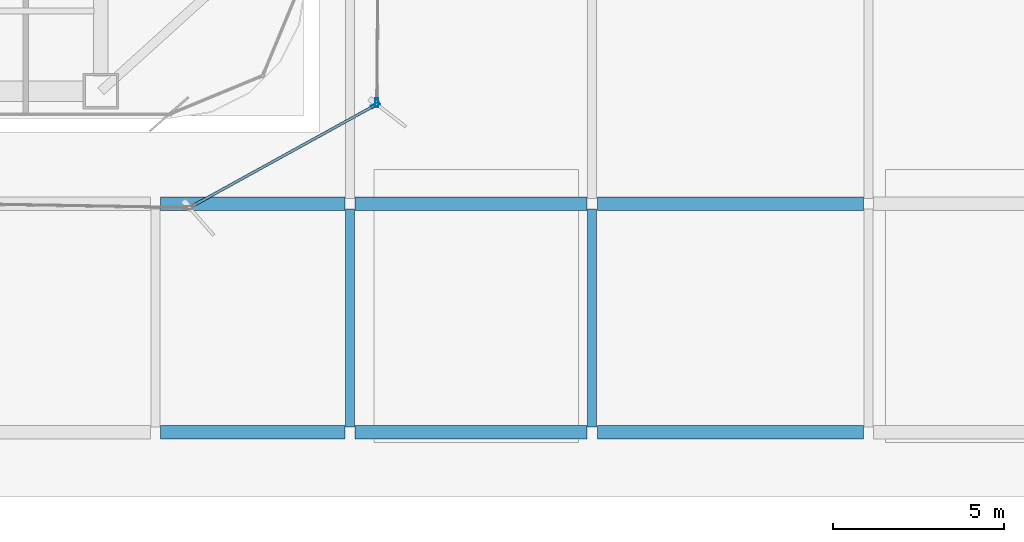
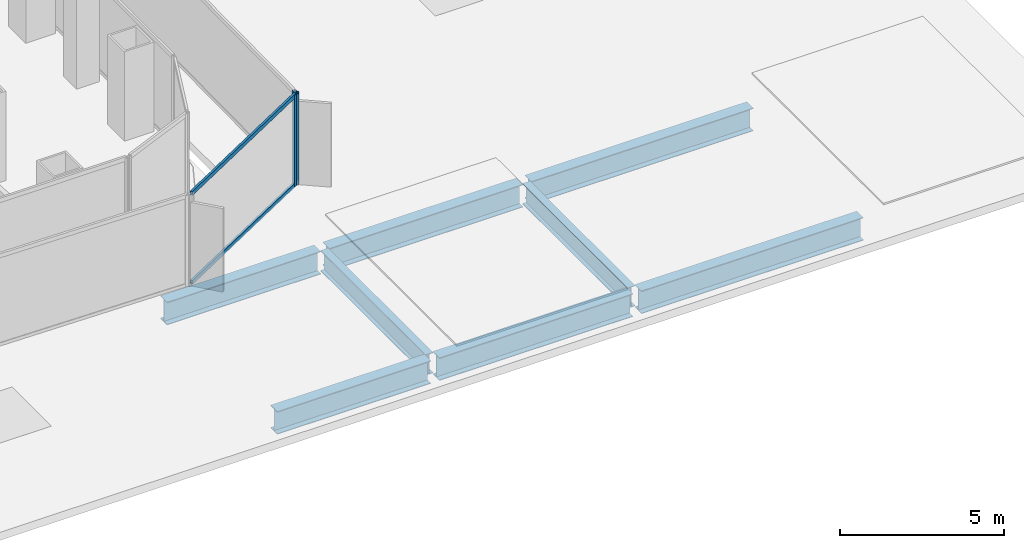
# One storey, part 9 of 27: 8 beams, 4 members, 2 elements without a shape of their own.
"""IFC4 building model written with IfcOpenShell, lengths in metres."""

from ifc_helpers import new_model, si_unit, direction, frame, origin, origin_2d, place, context, subcontext, project, spatial, hollow_rectangle, i_section, extrude, source, transform, mapped, material, layer, layer_set, material_profile, profile_set, type_object, element, aggregate, save


model = new_model("IFC4")

# Units and contexts
model_context = context("Model", 3, precision=1e-05, world=origin(), true_north=direction((0.0, 1.0)))
body_context = subcontext(model_context, "Body", "Model", "MODEL_VIEW")
ifc_project = project(units=[si_unit("LENGTHUNIT", "METRE"), si_unit("AREAUNIT", "SQUARE_METRE"), si_unit("VOLUMEUNIT", "CUBIC_METRE"), si_unit("PLANEANGLEUNIT", "RADIAN"), si_unit("MASSUNIT", "GRAM", prefix="KILO")], contexts=[model_context])

# Site, building, storey
site_placement = place(None, origin())
site = spatial("IfcSite", under=ifc_project, at=site_placement, CompositionType="ELEMENT")
building_placement = place(site_placement, origin())
building = spatial("IfcBuilding", under=site, at=building_placement, Name="Kolveth Station Tower", CompositionType="ELEMENT")
storey_placement = place(building_placement, frame((0.0, 0.0, 22.5)))
storey = spatial("IfcBuildingStorey", under=building, at=storey_placement, Name="L05", CompositionType="ELEMENT", Elevation=22.5)

# Beams
ifc_material_1 = material(Name="Steel S355", Category="steel")
ifc_material_profile_1 = material_profile(ifc_material_1, i_section(OverallWidth=0.40087890625, OverallDepth=0.85107421875, WebThickness=0.01611328125, FlangeThickness=0.025390625, at=origin_2d()), Name="W840x226")
ifc_profile_set_1 = profile_set([ifc_material_profile_1], Name="Steel S355")
beam_type_1 = type_object("IfcBeamType", Name="Beam_B2", PredefinedType="BEAM", material=ifc_profile_set_1)
shared_shape_1 = source(origin(), body_context, "Body", "SweptSolid", [
    extrude(i_section(OverallWidth=0.40087890625, OverallDepth=0.85107421875, WebThickness=0.01611328125, FlangeThickness=0.025390625, at=origin_2d()), origin(), (0.0, 0.0, 1.0), 5.39990234375),
])
for number, where, z_axis, x_axis, name in (
    (1, (42.75, -9.199951171875, -0.7255859375), (1.0, 0.0, 0.0), (0.0, 1.0, 0.0), "L05 Station Concourse Girder SBM-L05-SL1-5"),
    (2, (42.75, -2.5, -0.7255859375), (1.0, 0.0, 0.0), (0.0, 1.0, 0.0), "L05 Station Concourse Girder SBM-L05-SL2-5"),
):
    element("IfcBeam", number, at=place(storey_placement, frame(where, z_axis=z_axis, x_axis=x_axis)), inside=storey, type_object=beam_type_1, Name=name, PredefinedType="BEAM", context=body_context, shape_type="MappedRepresentation", body=[
        mapped(shared_shape_1, transform((0.0, 0.0, 0.0), x_axis=(1.0, 0.0, 0.0), y_axis=(0.0, 1.0, 0.0), z_axis=(0.0, 0.0, 1.0), scale=1.0)),
    ])
shared_shape_2 = source(origin(), body_context, "Body", "SweptSolid", [
    extrude(i_section(OverallWidth=0.40087890625, OverallDepth=0.85107421875, WebThickness=0.01611328125, FlangeThickness=0.025390625, at=origin_2d()), origin(), (0.0, 0.0, 1.0), 6.800048828125),
])
for number, where, z_axis, x_axis, name in (
    (3, (48.449951171875, -9.199951171875, -0.7255859375), (1.0, 0.0, 0.0), (0.0, 1.0, 0.0), "L05 Station Portal Girder SBM-L05-EW-1-1"),
    (4, (48.449951171875, -2.5, -0.7255859375), (1.0, 0.0, 0.0), (0.0, 1.0, 0.0), "L05 Station Portal Girder SBM-L05-EW-2-1"),
):
    element("IfcBeam", number, at=place(storey_placement, frame(where, z_axis=z_axis, x_axis=x_axis)), inside=storey, type_object=beam_type_1, Name=name, PredefinedType="BEAM", context=body_context, shape_type="MappedRepresentation", body=[
        mapped(shared_shape_2, transform((0.0, 0.0, 0.0), x_axis=(1.0, 0.0, 0.0), y_axis=(0.0, 1.0, 0.0), z_axis=(0.0, 0.0, 1.0), scale=1.0)),
    ])
shared_shape_3 = source(origin(), body_context, "Body", "SweptSolid", [
    extrude(i_section(OverallWidth=0.40087890625, OverallDepth=0.85107421875, WebThickness=0.01611328125, FlangeThickness=0.025390625, at=origin_2d()), origin(), (0.0, 0.0, 1.0), 7.800048828125),
])
for number, where, z_axis, x_axis, name in (
    (5, (55.550048828125, -9.199951171875, -0.7255859375), (1.0, 0.0, 0.0), (0.0, 1.0, 0.0), "L05 Station Portal Girder SBM-L05-EW-1-2"),
    (6, (55.550048828125, -2.5, -0.7255859375), (1.0, 0.0, 0.0), (0.0, 1.0, 0.0), "L05 Station Portal Girder SBM-L05-EW-2-2"),
):
    element("IfcBeam", number, at=place(storey_placement, frame(where, z_axis=z_axis, x_axis=x_axis)), inside=storey, type_object=beam_type_1, Name=name, PredefinedType="BEAM", context=body_context, shape_type="MappedRepresentation", body=[
        mapped(shared_shape_3, transform((0.0, 0.0, 0.0), x_axis=(1.0, 0.0, 0.0), y_axis=(0.0, 1.0, 0.0), z_axis=(0.0, 0.0, 1.0), scale=1.0)),
    ])
ifc_material_profile_2 = material_profile(ifc_material_1, i_section(OverallWidth=0.26708984375, OverallDepth=0.76611328125, WebThickness=0.014892578125, FlangeThickness=0.023681640625, at=origin_2d()), Name="W760x185")
ifc_profile_set_2 = profile_set([ifc_material_profile_2], Name="Steel S355")
beam_type_2 = type_object("IfcBeamType", Name="Beam_B3", PredefinedType="BEAM", material=ifc_profile_set_2)
shared_shape_4 = source(origin(), body_context, "Body", "SweptSolid", [
    extrude(i_section(OverallWidth=0.26708984375, OverallDepth=0.76611328125, WebThickness=0.014892578125, FlangeThickness=0.023681640625, at=origin_2d()), origin(), (0.0, 0.0, 1.0), 6.400146484375),
])
for number, where, z_axis, x_axis, name in (
    (7, (48.300048828125, -9.050048828125, -0.68310546875), (0.0, 1.0, 0.0), (-1.0, 0.0, 0.0), "L05 Station Spine Girder SBM-L05-NS-1-1"),
    (8, (55.39990234375, -9.050048828125, -0.68310546875), (0.0, 1.0, 0.0), (-1.0, 0.0, 0.0), "L05 Station Spine Girder SBM-L05-NS-2-1"),
):
    element("IfcBeam", number, at=place(storey_placement, frame(where, z_axis=z_axis, x_axis=x_axis)), inside=storey, type_object=beam_type_2, Name=name, PredefinedType="BEAM", context=body_context, shape_type="MappedRepresentation", body=[
        mapped(shared_shape_4, transform((0.0, 0.0, 0.0), x_axis=(1.0, 0.0, 0.0), y_axis=(0.0, 1.0, 0.0), z_axis=(0.0, 0.0, 1.0), scale=1.0)),
    ])

# Curtain wall, member
ifc_material_2 = material(Name="Black anodized aluminium 6063-T6 and dark solar glass", Category="aluminium")
ifc_layer = layer(ifc_material_2, 0.159912109375)
ifc_layer_set = layer_set([ifc_layer], Name="Black anodized aluminium 6063-T6 and dark solar glass")
curtain_wall_type = type_object("IfcCurtainWallType", Name="OUTER SKIN CW-OS", PredefinedType="NOTDEFINED", material=ifc_layer_set)
curtain_wall_1_placement = place(storey_placement, origin())
curtain_wall_1 = element("IfcCurtainWall", 9, at=curtain_wall_1_placement, inside=storey, type_object=curtain_wall_type, Name="L05 Outer Ventilated Skin Curtain Wall 1", PredefinedType="NOTDEFINED")
ifc_material_3 = material(Name="Black anodized aluminium 6063-T6", Category="aluminium")
ifc_material_profile_3 = material_profile(ifc_material_3, hollow_rectangle(XDim=0.090087890625, YDim=0.260009765625, WallThickness=0.0048828125, at=origin_2d()), Name="ALU-90x260x5")
ifc_profile_set_3 = profile_set([ifc_material_profile_3], Name="Black anodized aluminium 6063-T6")
member_type_1 = type_object("IfcMemberType", Name="FIN MULLION ML-OS", PredefinedType="MULLION", material=ifc_profile_set_3)
shared_shape_5 = source(origin(), body_context, "Body", "SweptSolid", [
    extrude(hollow_rectangle(XDim=0.090087890625, YDim=0.260009765625, WallThickness=0.0048828125, at=origin_2d()), origin(), (0.0, 0.0, 1.0), 3.389892578125),
])
member_1_placement = place(storey_placement, frame((49.04931640625, 0.392578125, 0.0), z_axis=(0.0, 0.0, 1.0), x_axis=(-0.482854348071, 0.875700678628, 0.0)))
member_1 = element("IfcMember", 10, at=member_1_placement, type_object=member_type_1, Name="CW-OS mullion 2", PredefinedType="MULLION", context=body_context, shape_type="MappedRepresentation", body=[
    mapped(shared_shape_5, transform((0.0, 0.0, 0.0), x_axis=(1.0, 0.0, 0.0), y_axis=(0.0, 1.0, 0.0), z_axis=(0.0, 0.0, 1.0), scale=1.0)),
])

curtain_wall_2_placement = place(storey_placement, origin())
curtain_wall_2 = element("IfcCurtainWall", 11, at=curtain_wall_2_placement, inside=storey, type_object=curtain_wall_type, Name="L05 Outer Ventilated Skin Curtain Wall 2", PredefinedType="NOTDEFINED")
member_2_placement = place(storey_placement, frame((49.089111328125, 0.459228515625, 0.0), z_axis=(0.0, 0.0, 1.0), x_axis=(-0.999965225678, 0.008339510403, 0.0)))
member_2 = element("IfcMember", 12, at=member_2_placement, type_object=member_type_1, Name="CW-OS mullion 1", PredefinedType="MULLION", context=body_context, shape_type="MappedRepresentation", body=[
    mapped(shared_shape_5, transform((0.0, 0.0, 0.0), x_axis=(1.0, 0.0, 0.0), y_axis=(0.0, 1.0, 0.0), z_axis=(0.0, 0.0, 1.0), scale=1.0)),
])
aggregate(curtain_wall_2, [member_2])

# Member
ifc_material_profile_4 = material_profile(ifc_material_3, hollow_rectangle(XDim=0.080078125, YDim=0.14990234375, WallThickness=0.0048828125, at=origin_2d()), Name="ALU-80x150x5")
ifc_profile_set_4 = profile_set([ifc_material_profile_4], Name="Black anodized aluminium 6063-T6")
member_type_2 = type_object("IfcMemberType", Name="Transom_TR-OS", PredefinedType="USERDEFINED", material=ifc_profile_set_4)
shared_shape_6 = source(origin(), body_context, "Body", "SweptSolid", [
    extrude(hollow_rectangle(XDim=0.080078125, YDim=0.14990234375, WallThickness=0.0048828125, at=origin_2d()), origin(), (0.0, 0.0, 1.0), 6.091552734375),
])
member_3_placement = place(storey_placement, frame((43.675537109375, -2.570556640625, 0.0400390625), z_axis=(0.875699241357, 0.482856954685, 0.0), x_axis=(-0.482856954685, 0.875699241357, 0.0)))
member_3 = element("IfcMember", 13, at=member_3_placement, type_object=member_type_2, Name="CW-OS transom 1.1", ObjectType="TRANSOM", PredefinedType="USERDEFINED", context=body_context, shape_type="MappedRepresentation", body=[
    mapped(shared_shape_6, transform((0.0, 0.0, 0.0), x_axis=(1.0, 0.0, 0.0), y_axis=(0.0, 1.0, 0.0), z_axis=(0.0, 0.0, 1.0), scale=1.0)),
])

member_4_placement = place(storey_placement, frame((43.675537109375, -2.570556640625, 3.35009765625), z_axis=(0.875699241357, 0.482856954685, 0.0), x_axis=(-0.482856954685, 0.875699241357, 0.0)))
member_4 = element("IfcMember", 14, at=member_4_placement, type_object=member_type_2, Name="CW-OS transom 1.2", ObjectType="TRANSOM", PredefinedType="USERDEFINED", context=body_context, shape_type="MappedRepresentation", body=[
    mapped(shared_shape_6, transform((0.0, 0.0, 0.0), x_axis=(1.0, 0.0, 0.0), y_axis=(0.0, 1.0, 0.0), z_axis=(0.0, 0.0, 1.0), scale=1.0)),
])

aggregate(curtain_wall_1, [member_1, member_3, member_4])

save(model, "model.ifc")
